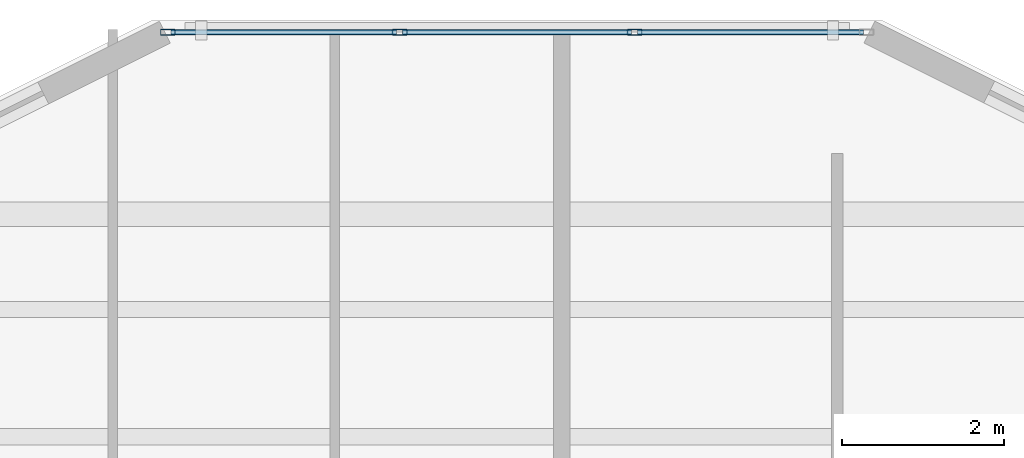
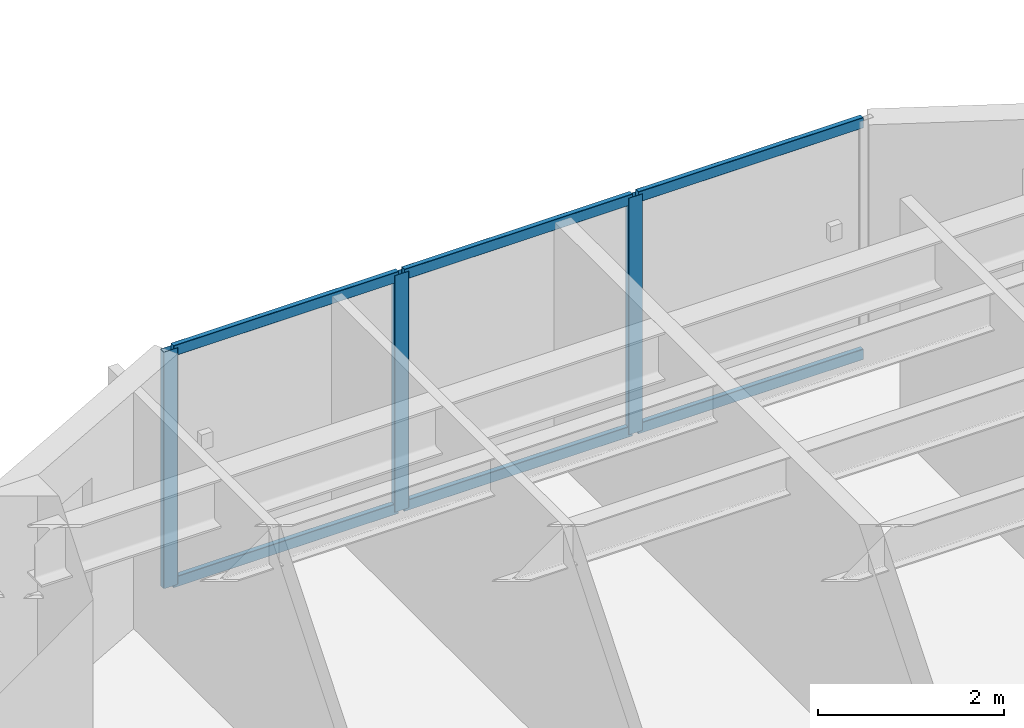
# One storey, part 6 of 21: 9 members, 1 element without a shape of its own.
"""IFC4 building model written with IfcOpenShell, lengths in metres."""

from ifc_helpers import new_model, si_unit, direction, frame, origin, origin_2d, place, context, subcontext, project, spatial, hollow_rectangle, extrude, material, layer, layer_set, material_profile, profile_set, type_object, element, aggregate, save


model = new_model("IFC4")

# Units and contexts
model_context = context("Model", 3, precision=1e-05, world=origin(), true_north=direction((0.0, 1.0)))
body_context = subcontext(model_context, "Body", "Model", "MODEL_VIEW")
ifc_project = project(units=[si_unit("LENGTHUNIT", "METRE"), si_unit("AREAUNIT", "SQUARE_METRE"), si_unit("VOLUMEUNIT", "CUBIC_METRE"), si_unit("PLANEANGLEUNIT", "RADIAN"), si_unit("MASSUNIT", "GRAM", prefix="KILO")], contexts=[model_context])

# Site, building, storey
site_placement = place(None, origin())
site = spatial("IfcSite", under=ifc_project, at=site_placement, CompositionType="ELEMENT")
building_placement = place(site_placement, origin())
building = spatial("IfcBuilding", under=site, at=building_placement, Name="Tarnavaz Court Tower", CompositionType="ELEMENT")
storey_placement = place(building_placement, frame((0.0, 0.0, 37.39990234375)))
storey = spatial("IfcBuildingStorey", under=building, at=storey_placement, Name="L09", CompositionType="ELEMENT", Elevation=37.39990234375)

# Curtain wall, members
ifc_material_1 = material(Name="Anodised Aluminium 6063-T6 and Solar Low-E Glazing", Category="aluminium")
ifc_layer = layer(ifc_material_1, 0.179931640625)
ifc_layer_set = layer_set([ifc_layer], Name="Anodised Aluminium 6063-T6 and Solar Low-E Glazing")
curtain_wall_type = type_object("IfcCurtainWallType", Name="CW-SYS-02", PredefinedType="NOTDEFINED", material=ifc_layer_set)
curtain_wall_placement = place(storey_placement, origin())
curtain_wall = element("IfcCurtainWall", 1, at=curtain_wall_placement, inside=storey, type_object=curtain_wall_type, Name="L09 Iwan Prow Curtain Wall 7", PredefinedType="NOTDEFINED")
ifc_material_2 = material(Name="Anodised Aluminium 6063-T6", Category="aluminium")
ifc_material_profile_1 = material_profile(ifc_material_2, hollow_rectangle(XDim=0.074951171875, YDim=0.179931640625, WallThickness=0.0048828125, InnerFilletRadius=0.0048828125, OuterFilletRadius=0.010009765625, at=origin_2d()), Name="ALU RHS 180X75X5")
ifc_profile_set_1 = profile_set([ifc_material_profile_1], Name="Anodised Aluminium 6063-T6")
member_type_1 = type_object("IfcMemberType", Name="CW-MUL-180", PredefinedType="MULLION", material=ifc_profile_set_1)
member_1_placement = place(storey_placement, frame((-4.3125, 25.050048828125, 0.0), z_axis=(0.0, 0.0, 1.0), x_axis=(0.0, 1.0, 0.0)))
member_1 = element("IfcMember", 2, at=member_1_placement, type_object=member_type_1, Name="CW mullion 1", PredefinedType="MULLION", context=body_context, shape_type="SweptSolid", body=[
    extrude(hollow_rectangle(XDim=0.074951171875, YDim=0.179931640625, WallThickness=0.0048828125, InnerFilletRadius=0.0048828125, OuterFilletRadius=0.010009765625, at=origin_2d()), origin(), (0.0, 0.0, 1.0), 3.10009765625),
])
member_2_placement = place(storey_placement, frame((-1.449951171875, 25.050048828125, 0.0), z_axis=(0.0, 0.0, 1.0), x_axis=(0.0, 1.0, 0.0)))
member_2 = element("IfcMember", 3, at=member_2_placement, type_object=member_type_1, Name="CW mullion 2", PredefinedType="MULLION", context=body_context, shape_type="SweptSolid", body=[
    extrude(hollow_rectangle(XDim=0.074951171875, YDim=0.179931640625, WallThickness=0.0048828125, InnerFilletRadius=0.0048828125, OuterFilletRadius=0.010009765625, at=origin_2d()), origin(), (0.0, 0.0, 1.0), 3.10009765625),
])
member_3_placement = place(storey_placement, frame((1.449951171875, 25.050048828125, 0.0), z_axis=(0.0, 0.0, 1.0), x_axis=(0.0, 1.0, 0.0)))
member_3 = element("IfcMember", 4, at=member_3_placement, type_object=member_type_1, Name="CW mullion 3", PredefinedType="MULLION", context=body_context, shape_type="SweptSolid", body=[
    extrude(hollow_rectangle(XDim=0.074951171875, YDim=0.179931640625, WallThickness=0.0048828125, InnerFilletRadius=0.0048828125, OuterFilletRadius=0.010009765625, at=origin_2d()), origin(), (0.0, 0.0, 1.0), 3.10009765625),
])
ifc_material_profile_2 = material_profile(ifc_material_2, hollow_rectangle(XDim=0.06494140625, YDim=0.139892578125, WallThickness=0.00390625, InnerFilletRadius=0.00390625, OuterFilletRadius=0.008056640625, at=origin_2d()), Name="ALU RHS 140X65X4")
ifc_profile_set_2 = profile_set([ifc_material_profile_2], Name="Anodised Aluminium 6063-T6")
member_type_2 = type_object("IfcMemberType", Name="CW-TRN-140", PredefinedType="USERDEFINED", material=ifc_profile_set_2)
member_4_placement = place(storey_placement, frame((-4.27490234375, 25.050048828125, 0.03271484375), z_axis=(1.0, 0.0, 0.0), x_axis=(0.0, 1.0, 0.0)))
member_4 = element("IfcMember", 5, at=member_4_placement, type_object=member_type_2, Name="CW transom 1.1", ObjectType="TRANSOM", PredefinedType="USERDEFINED", context=body_context, shape_type="SweptSolid", body=[
    extrude(hollow_rectangle(XDim=0.06494140625, YDim=0.139892578125, WallThickness=0.00390625, InnerFilletRadius=0.00390625, OuterFilletRadius=0.008056640625, at=origin_2d()), origin(), (0.0, 0.0, 1.0), 2.787353515625),
])
member_5_placement = place(storey_placement, frame((-4.27490234375, 25.050048828125, 3.067626953125), z_axis=(1.0, 0.0, 0.0), x_axis=(0.0, 1.0, 0.0)))
member_5 = element("IfcMember", 6, at=member_5_placement, type_object=member_type_2, Name="CW transom 1.2", ObjectType="TRANSOM", PredefinedType="USERDEFINED", context=body_context, shape_type="SweptSolid", body=[
    extrude(hollow_rectangle(XDim=0.06494140625, YDim=0.139892578125, WallThickness=0.00390625, InnerFilletRadius=0.00390625, OuterFilletRadius=0.008056640625, at=origin_2d()), origin(), (0.0, 0.0, 1.0), 2.787353515625),
])
member_6_placement = place(storey_placement, frame((-1.41259765625, 25.050048828125, 0.03271484375), z_axis=(1.0, 0.0, 0.0), x_axis=(0.0, 1.0, 0.0)))
member_6 = element("IfcMember", 7, at=member_6_placement, type_object=member_type_2, Name="CW transom 2.1", ObjectType="TRANSOM", PredefinedType="USERDEFINED", context=body_context, shape_type="SweptSolid", body=[
    extrude(hollow_rectangle(XDim=0.06494140625, YDim=0.139892578125, WallThickness=0.00390625, InnerFilletRadius=0.00390625, OuterFilletRadius=0.008056640625, at=origin_2d()), origin(), (0.0, 0.0, 1.0), 2.8251953125),
])
member_7_placement = place(storey_placement, frame((-1.41259765625, 25.050048828125, 3.067626953125), z_axis=(1.0, 0.0, 0.0), x_axis=(0.0, 1.0, 0.0)))
member_7 = element("IfcMember", 8, at=member_7_placement, type_object=member_type_2, Name="CW transom 2.2", ObjectType="TRANSOM", PredefinedType="USERDEFINED", context=body_context, shape_type="SweptSolid", body=[
    extrude(hollow_rectangle(XDim=0.06494140625, YDim=0.139892578125, WallThickness=0.00390625, InnerFilletRadius=0.00390625, OuterFilletRadius=0.008056640625, at=origin_2d()), origin(), (0.0, 0.0, 1.0), 2.8251953125),
])
member_8_placement = place(storey_placement, frame((1.487548828125, 25.050048828125, 0.03271484375), z_axis=(1.0, 0.0, 0.0), x_axis=(0.0, 1.0, 0.0)))
member_8 = element("IfcMember", 9, at=member_8_placement, type_object=member_type_2, Name="CW transom 3.1", ObjectType="TRANSOM", PredefinedType="USERDEFINED", context=body_context, shape_type="SweptSolid", body=[
    extrude(hollow_rectangle(XDim=0.06494140625, YDim=0.139892578125, WallThickness=0.00390625, InnerFilletRadius=0.00390625, OuterFilletRadius=0.008056640625, at=origin_2d()), origin(), (0.0, 0.0, 1.0), 2.787353515625),
])
member_9_placement = place(storey_placement, frame((1.487548828125, 25.050048828125, 3.067626953125), z_axis=(1.0, 0.0, 0.0), x_axis=(0.0, 1.0, 0.0)))
member_9 = element("IfcMember", 10, at=member_9_placement, type_object=member_type_2, Name="CW transom 3.2", ObjectType="TRANSOM", PredefinedType="USERDEFINED", context=body_context, shape_type="SweptSolid", body=[
    extrude(hollow_rectangle(XDim=0.06494140625, YDim=0.139892578125, WallThickness=0.00390625, InnerFilletRadius=0.00390625, OuterFilletRadius=0.008056640625, at=origin_2d()), origin(), (0.0, 0.0, 1.0), 2.787353515625),
])
aggregate(curtain_wall, [member_1, member_2, member_3, member_4, member_5, member_6, member_7, member_8, member_9])

save(model, "model.ifc")
